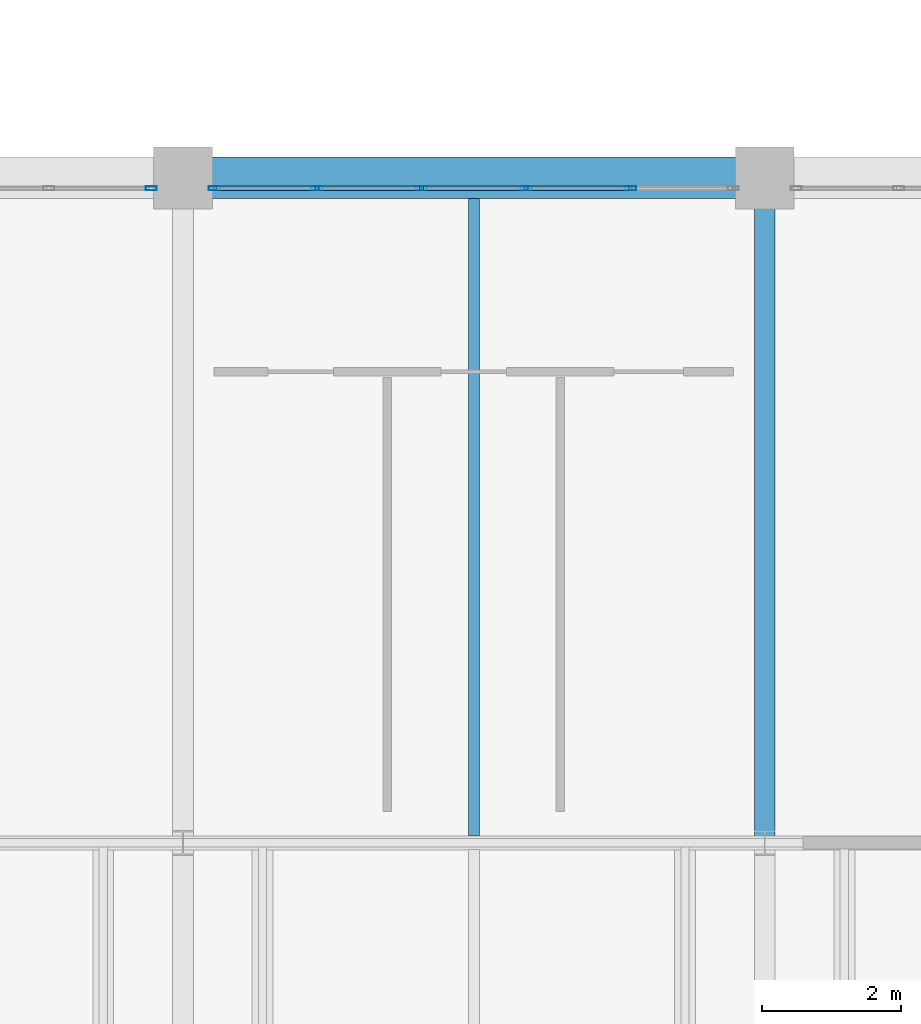
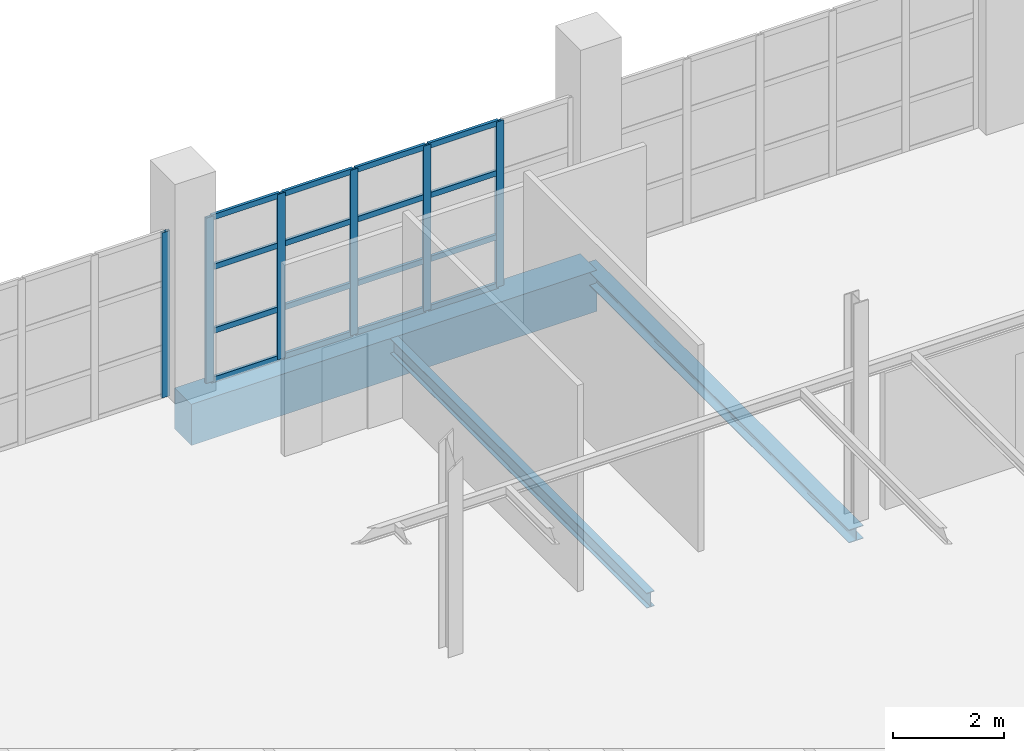
# One storey, part 7 of 29: 22 members, 3 beams, 2 elements without a shape of their own.
"""IFC4 building model written with IfcOpenShell, lengths in metres."""

import ifcopenshell
import ifcopenshell.guid

model = None  # the IFC model being written
_history = None  # IfcOwnerHistory: only IFC2X3 demands one
_inside = {}  # id of a spatial element -> (the spatial element, [elements in it])
_under = {}  # id of a project, library or spatial element -> (it, [spatial elements below it])
_declared = {}  # id of a project -> (the project, [libraries it declares])
_typed = {}  # id of a type object -> (the type object, [elements of that type])
_made_of = {}  # id of a material, layer set ... -> (it, [elements and type objects made of it])


def new_model(schema):
    """Start an empty IFC model of exactly this schema.

    Asked for "IFC4X3", IfcOpenShell would pick the latest addendum, in which some entities
    have other attributes; the version numbers below select the first issue.
    IFC2X3 requires an IfcOwnerHistory on every rooted entity: one is made here for all.
    """
    global model, _history
    if schema == "IFC4X3":
        model = ifcopenshell.file(schema_version=(4, 3, 0, 0))
    else:
        model = ifcopenshell.file(schema=schema)
    _inside.clear()
    _under.clear()
    _declared.clear()
    _typed.clear()
    _made_of.clear()
    _history = None
    if model.schema == "IFC2X3":
        org = make("IfcOrganization", Name="unknown")
        user = make(
            "IfcPersonAndOrganization",
            ThePerson=make("IfcPerson", FamilyName="unknown"),
            TheOrganization=org,
        )
        app = make(
            "IfcApplication",
            ApplicationDeveloper=org,
            Version="unknown",
            ApplicationFullName="unknown",
            ApplicationIdentifier="unknown",
        )
        _history = make(
            "IfcOwnerHistory",
            OwningUser=user,
            OwningApplication=app,
            ChangeAction="ADDED",
            CreationDate=0,
        )
    return model


def make(cls, **values):
    """One entity of the class cls with the attributes given. An attribute that is None is left unset."""
    return model.create_entity(
        cls, **{name: value for name, value in values.items() if value is not None}
    )


def rooted(cls, **values):
    """An entity with a GlobalId (a new one), such as an element, a storey or a relation."""
    return make(cls, GlobalId=ifcopenshell.guid.new(), OwnerHistory=_history, **values)


def si_unit(unit_type, name, prefix=None):
    """IfcSIUnit, for example si_unit("LENGTHUNIT", "METRE", prefix="MILLI")."""
    return make("IfcSIUnit", UnitType=unit_type, Prefix=prefix, Name=name)


def assignment(units):
    """IfcUnitAssignment: the units of a project."""
    return None if units is None else make("IfcUnitAssignment", Units=units)


def point(xyz):
    """IfcCartesianPoint."""
    return None if xyz is None else make("IfcCartesianPoint", Coordinates=xyz)


def direction(xyz):
    """IfcDirection."""
    return None if xyz is None else make("IfcDirection", DirectionRatios=xyz)


def frame(location, z_axis=None, x_axis=None):
    """IfcAxis2Placement3D, a coordinate frame: its origin and axes. An axis left out is left unset."""
    return make(
        "IfcAxis2Placement3D",
        Location=point(location),
        Axis=direction(z_axis),
        RefDirection=direction(x_axis),
    )


def frame_2d(location, x_axis=None):
    """IfcAxis2Placement2D, a coordinate frame in the plane: its origin and x axis."""
    return make(
        "IfcAxis2Placement2D", Location=point(location), RefDirection=direction(x_axis)
    )


def origin():
    """The frame at (0, 0, 0) with its axes left unset."""
    return frame((0.0, 0.0, 0.0))


def origin_2d():
    """The frame at (0, 0) in the plane with its x axis left unset."""
    return frame_2d((0.0, 0.0))


def place(relative_to, where):
    """IfcLocalPlacement: puts the frame where relative to a parent placement (None: the world)."""
    return make(
        "IfcLocalPlacement", PlacementRelTo=relative_to, RelativePlacement=where
    )


def context(
    kind, dimensions, precision=None, world=None, true_north=None, identifier=None
):
    """IfcGeometricRepresentationContext, for example the 3D "Model" context."""
    return make(
        "IfcGeometricRepresentationContext",
        ContextIdentifier=identifier,
        ContextType=kind,
        CoordinateSpaceDimension=dimensions,
        Precision=precision,
        WorldCoordinateSystem=world,
        TrueNorth=true_north,
    )


def subcontext(parent, identifier, kind, view, scale=None):
    """IfcGeometricRepresentationSubContext, for example "Body" below "Model"."""
    return make(
        "IfcGeometricRepresentationSubContext",
        ContextIdentifier=identifier,
        ContextType=kind,
        ParentContext=parent,
        TargetScale=scale,
        TargetView=view,
    )


def project(units=None, contexts=None):
    """IfcProject with its units and contexts."""
    return rooted(
        "IfcProject",
        Name="project",
        RepresentationContexts=contexts,
        UnitsInContext=assignment(units),
    )


def spatial(cls, under=None, at=None, **own):
    """A site, building, storey or space (cls), placed at a placement, below another one or the project."""
    s = rooted(cls, ObjectPlacement=at, **own)
    if under is not None:
        _under.setdefault(under.id(), (under, []))[1].append(s)
    return s


def profile(cls, at=None, kind="AREA", **sizes):
    """A parametric profile (cls). Its sizes go by their IFC names, for example OverallWidth=200.0."""
    return make(cls, ProfileType=kind, Position=at, **sizes)


def rectangle(**sizes):
    """IfcRectangleProfileDef."""
    return profile("IfcRectangleProfileDef", **sizes)


def hollow_rectangle(**sizes):
    """IfcRectangleHollowProfileDef."""
    return profile("IfcRectangleHollowProfileDef", **sizes)


def i_section(**sizes):
    """IfcIShapeProfileDef."""
    return profile("IfcIShapeProfileDef", **sizes)


def extrude(swept, where, along, depth):
    """IfcExtrudedAreaSolid: the profile swept, set in the frame where, extruded along a direction by depth."""
    return make(
        "IfcExtrudedAreaSolid",
        SweptArea=swept,
        Position=where,
        ExtrudedDirection=direction(along),
        Depth=depth,
    )


def shape(context_of_items, identifier, shape_type, items):
    """IfcShapeRepresentation: the items that make up one representation, for example the "Body"."""
    return make(
        "IfcShapeRepresentation",
        ContextOfItems=context_of_items,
        RepresentationIdentifier=identifier,
        RepresentationType=shape_type,
        Items=items,
    )


def material(Name=None, Category=None):
    """IfcMaterial."""
    return make("IfcMaterial", Name=Name, Category=Category)


def material_profile(
    of_material, cross_section, Name=None, Category=None, Priority=None
):
    """IfcMaterialProfile: a cross section and its material."""
    return make(
        "IfcMaterialProfile",
        Name=Name,
        Material=of_material,
        Profile=cross_section,
        Priority=Priority,
        Category=Category,
    )


def profile_set(profiles, Name=None, composite=None):
    """IfcMaterialProfileSet."""
    return make(
        "IfcMaterialProfileSet",
        Name=Name,
        MaterialProfiles=profiles,
        CompositeProfile=composite,
    )


def made_of(thing, what):
    """Note that an element or type object is made of a material, layer set ...; save() writes the relation."""
    if what is not None:
        _made_of.setdefault(what.id(), (what, []))[1].append(thing)
    return thing


def type_object(cls, material=None, **own):
    """A type object (cls), such as IfcWallType, which elements share."""
    return made_of(rooted(cls, **own), material)


def element(
    cls,
    number,
    at=None,
    inside=None,
    cuts=None,
    type_object=None,
    material=None,
    context=None,
    identifier="Body",
    shape_type=None,
    held_by="IfcProductDefinitionShape",
    body=None,
    shapes=None,
    **own,
):
    """One element of the class cls, such as IfcWall. Its Tag is "e" and its number.

    at: its placement. inside: the storey or other place that contains it. cuts: it is an
    opening in that element (IfcRelVoidsElement). A single representation is given by context,
    identifier, shape_type and body (its items); several are given by shapes. held_by: the class
    of the entity that holds the representations. save() writes the other relations.
    """
    e = rooted(cls, Tag="e%d" % number, ObjectPlacement=at, **own)
    if body is not None:
        shapes = [shape(context, identifier, shape_type, body)]
    if shapes is not None:
        e.Representation = make(held_by, Representations=shapes)
    if inside is not None:
        _inside.setdefault(inside.id(), (inside, []))[1].append(e)
    if cuts is not None:
        rooted(
            "IfcRelVoidsElement", RelatingBuildingElement=cuts, RelatedOpeningElement=e
        )
    if type_object is not None:
        _typed.setdefault(type_object.id(), (type_object, []))[1].append(e)
    return made_of(e, material)


def aggregate(whole, parts):
    """IfcRelAggregates: a whole, such as a stair, and the parts it consists of."""
    return rooted("IfcRelAggregates", RelatingObject=whole, RelatedObjects=parts)


def save(model, path):
    """Write the relations noted so far, then the file.

    IfcRelAggregates (storeys below a building ...), IfcRelContainedInSpatialStructure (elements
    in a storey), IfcRelDefinesByType, IfcRelAssociatesMaterial and IfcRelDeclares: one each for
    every whole, place, type object, material and project.
    """
    for whole, parts in _under.values():
        aggregate(whole, parts)
    for where, things in _inside.values():
        rooted(
            "IfcRelContainedInSpatialStructure",
            RelatedElements=things,
            RelatingStructure=where,
        )
    for kind, things in _typed.values():
        rooted("IfcRelDefinesByType", RelatedObjects=things, RelatingType=kind)
    for what, things in _made_of.values():
        rooted("IfcRelAssociatesMaterial", RelatedObjects=things, RelatingMaterial=what)
    for by, libraries in _declared.values():
        rooted("IfcRelDeclares", RelatingContext=by, RelatedDefinitions=libraries)
    model.write(path)


model = new_model("IFC4")

# Units and contexts
model_context = context("Model", 3, precision=1e-05, world=origin(), true_north=direction((0.0, 1.0)))
body_context = subcontext(model_context, "Body", "Model", "MODEL_VIEW")
ifc_project = project(units=[si_unit("LENGTHUNIT", "METRE"), si_unit("AREAUNIT", "SQUARE_METRE"), si_unit("VOLUMEUNIT", "CUBIC_METRE"), si_unit("PLANEANGLEUNIT", "RADIAN"), si_unit("MASSUNIT", "GRAM", prefix="KILO")], contexts=[model_context])

# Site, building, storey
site_placement = place(None, origin())
site = spatial("IfcSite", under=ifc_project, at=site_placement, CompositionType="ELEMENT")
building_placement = place(site_placement, origin())
building = spatial("IfcBuilding", under=site, at=building_placement, Name="Veltarok Museum of Natural Sciences", CompositionType="ELEMENT")
storey_placement = place(building_placement, frame((0.0, 0.0, 26.39990234375)))
storey = spatial("IfcBuildingStorey", under=building, at=storey_placement, Name="L05", CompositionType="ELEMENT", Elevation=26.39990234375)

# Curtain wall, members
ifc_material_1 = material(Name="Low-iron triple insulated glass", Category="glass")
curtain_wall_type = type_object("IfcCurtainWallType", Name="Curtain Wall System CW-V1N-L05-755x362 (V1 North Overlook L05 755x362cm)", PredefinedType="NOTDEFINED", material=ifc_material_1)
curtain_wall_1_placement = place(storey_placement, origin())
curtain_wall_1 = element("IfcCurtainWall", 1, at=curtain_wall_1_placement, inside=storey, type_object=curtain_wall_type, Name="Curtain Wall CW-V1N-L05-755x362 CW-0013", PredefinedType="NOTDEFINED")
ifc_material_2 = material(Name="Thermally broken anodised aluminium", Category="aluminium")
ifc_material_profile_1 = material_profile(ifc_material_2, hollow_rectangle(XDim=0.06005859375, YDim=0.1201171875, WallThickness=0.0048828125, at=origin_2d()), Name="CW TRANSOM 60x120x5")
ifc_profile_set_1 = profile_set([ifc_material_profile_1], Name="Thermally broken anodised aluminium")
member_type_1 = type_object("IfcMemberType", Name="Curtain Wall Horizontal Transom 60x120x5", PredefinedType="USERDEFINED", material=ifc_profile_set_1)
member_1_placement = place(storey_placement, frame((54.8349609375, 19.050048828125, 0.030029296875), z_axis=(-1.0, 0.0, 0.0), x_axis=(0.0, -1.0, 0.0)))
member_1 = element("IfcMember", 2, at=member_1_placement, type_object=member_type_1, Name="CW-V1N-L05-755x362 transom 2.1", ObjectType="TRANSOM", PredefinedType="USERDEFINED", context=body_context, shape_type="SweptSolid", body=[
    extrude(hollow_rectangle(XDim=0.06005859375, YDim=0.1201171875, WallThickness=0.0048828125, at=origin_2d()), origin(), (0.0, 0.0, 1.0), 1.449951171875),
])
member_2_placement = place(storey_placement, frame((54.8349609375, 19.050048828125, 1.10009765625), z_axis=(-1.0, 0.0, 0.0), x_axis=(0.0, -1.0, 0.0)))
member_2 = element("IfcMember", 3, at=member_2_placement, type_object=member_type_1, Name="CW-V1N-L05-755x362 transom 2.2", ObjectType="TRANSOM", PredefinedType="USERDEFINED", context=body_context, shape_type="SweptSolid", body=[
    extrude(hollow_rectangle(XDim=0.06005859375, YDim=0.1201171875, WallThickness=0.0048828125, at=origin_2d()), origin(), (0.0, 0.0, 1.0), 1.449951171875),
])
member_3_placement = place(storey_placement, frame((54.8349609375, 19.050048828125, 2.5), z_axis=(-1.0, 0.0, 0.0), x_axis=(0.0, -1.0, 0.0)))
member_3 = element("IfcMember", 4, at=member_3_placement, type_object=member_type_1, Name="CW-V1N-L05-755x362 transom 2.3", ObjectType="TRANSOM", PredefinedType="USERDEFINED", context=body_context, shape_type="SweptSolid", body=[
    extrude(hollow_rectangle(XDim=0.06005859375, YDim=0.1201171875, WallThickness=0.0048828125, at=origin_2d()), origin(), (0.0, 0.0, 1.0), 1.449951171875),
])
member_4_placement = place(storey_placement, frame((54.8349609375, 19.050048828125, 3.590087890625), z_axis=(-1.0, 0.0, 0.0), x_axis=(0.0, -1.0, 0.0)))
member_4 = element("IfcMember", 5, at=member_4_placement, type_object=member_type_1, Name="CW-V1N-L05-755x362 transom 2.4", ObjectType="TRANSOM", PredefinedType="USERDEFINED", context=body_context, shape_type="SweptSolid", body=[
    extrude(hollow_rectangle(XDim=0.06005859375, YDim=0.1201171875, WallThickness=0.0048828125, at=origin_2d()), origin(), (0.0, 0.0, 1.0), 1.449951171875),
])
member_5_placement = place(storey_placement, frame((53.324951171875, 19.050048828125, 0.030029296875), z_axis=(-1.0, 0.0, 0.0), x_axis=(0.0, -1.0, 0.0)))
member_5 = element("IfcMember", 6, at=member_5_placement, type_object=member_type_1, Name="CW-V1N-L05-755x362 transom 3.1", ObjectType="TRANSOM", PredefinedType="USERDEFINED", context=body_context, shape_type="SweptSolid", body=[
    extrude(hollow_rectangle(XDim=0.06005859375, YDim=0.1201171875, WallThickness=0.0048828125, at=origin_2d()), origin(), (0.0, 0.0, 1.0), 1.449951171875),
])
member_6_placement = place(storey_placement, frame((53.324951171875, 19.050048828125, 1.10009765625), z_axis=(-1.0, 0.0, 0.0), x_axis=(0.0, -1.0, 0.0)))
member_6 = element("IfcMember", 7, at=member_6_placement, type_object=member_type_1, Name="CW-V1N-L05-755x362 transom 3.2", ObjectType="TRANSOM", PredefinedType="USERDEFINED", context=body_context, shape_type="SweptSolid", body=[
    extrude(hollow_rectangle(XDim=0.06005859375, YDim=0.1201171875, WallThickness=0.0048828125, at=origin_2d()), origin(), (0.0, 0.0, 1.0), 1.449951171875),
])
member_7_placement = place(storey_placement, frame((53.324951171875, 19.050048828125, 2.5), z_axis=(-1.0, 0.0, 0.0), x_axis=(0.0, -1.0, 0.0)))
member_7 = element("IfcMember", 8, at=member_7_placement, type_object=member_type_1, Name="CW-V1N-L05-755x362 transom 3.3", ObjectType="TRANSOM", PredefinedType="USERDEFINED", context=body_context, shape_type="SweptSolid", body=[
    extrude(hollow_rectangle(XDim=0.06005859375, YDim=0.1201171875, WallThickness=0.0048828125, at=origin_2d()), origin(), (0.0, 0.0, 1.0), 1.449951171875),
])
member_8_placement = place(storey_placement, frame((53.324951171875, 19.050048828125, 3.590087890625), z_axis=(-1.0, 0.0, 0.0), x_axis=(0.0, -1.0, 0.0)))
member_8 = element("IfcMember", 9, at=member_8_placement, type_object=member_type_1, Name="CW-V1N-L05-755x362 transom 3.4", ObjectType="TRANSOM", PredefinedType="USERDEFINED", context=body_context, shape_type="SweptSolid", body=[
    extrude(hollow_rectangle(XDim=0.06005859375, YDim=0.1201171875, WallThickness=0.0048828125, at=origin_2d()), origin(), (0.0, 0.0, 1.0), 1.449951171875),
])
member_9_placement = place(storey_placement, frame((51.81494140625, 19.050048828125, 0.030029296875), z_axis=(-1.0, 0.0, 0.0), x_axis=(0.0, -1.0, 0.0)))
member_9 = element("IfcMember", 10, at=member_9_placement, type_object=member_type_1, Name="CW-V1N-L05-755x362 transom 4.1", ObjectType="TRANSOM", PredefinedType="USERDEFINED", context=body_context, shape_type="SweptSolid", body=[
    extrude(hollow_rectangle(XDim=0.06005859375, YDim=0.1201171875, WallThickness=0.0048828125, at=origin_2d()), origin(), (0.0, 0.0, 1.0), 1.449951171875),
])
member_10_placement = place(storey_placement, frame((51.81494140625, 19.050048828125, 1.10009765625), z_axis=(-1.0, 0.0, 0.0), x_axis=(0.0, -1.0, 0.0)))
member_10 = element("IfcMember", 11, at=member_10_placement, type_object=member_type_1, Name="CW-V1N-L05-755x362 transom 4.2", ObjectType="TRANSOM", PredefinedType="USERDEFINED", context=body_context, shape_type="SweptSolid", body=[
    extrude(hollow_rectangle(XDim=0.06005859375, YDim=0.1201171875, WallThickness=0.0048828125, at=origin_2d()), origin(), (0.0, 0.0, 1.0), 1.449951171875),
])
member_11_placement = place(storey_placement, frame((51.81494140625, 19.050048828125, 2.5), z_axis=(-1.0, 0.0, 0.0), x_axis=(0.0, -1.0, 0.0)))
member_11 = element("IfcMember", 12, at=member_11_placement, type_object=member_type_1, Name="CW-V1N-L05-755x362 transom 4.3", ObjectType="TRANSOM", PredefinedType="USERDEFINED", context=body_context, shape_type="SweptSolid", body=[
    extrude(hollow_rectangle(XDim=0.06005859375, YDim=0.1201171875, WallThickness=0.0048828125, at=origin_2d()), origin(), (0.0, 0.0, 1.0), 1.449951171875),
])
member_12_placement = place(storey_placement, frame((51.81494140625, 19.050048828125, 3.590087890625), z_axis=(-1.0, 0.0, 0.0), x_axis=(0.0, -1.0, 0.0)))
member_12 = element("IfcMember", 13, at=member_12_placement, type_object=member_type_1, Name="CW-V1N-L05-755x362 transom 4.4", ObjectType="TRANSOM", PredefinedType="USERDEFINED", context=body_context, shape_type="SweptSolid", body=[
    extrude(hollow_rectangle(XDim=0.06005859375, YDim=0.1201171875, WallThickness=0.0048828125, at=origin_2d()), origin(), (0.0, 0.0, 1.0), 1.449951171875),
])
member_13_placement = place(storey_placement, frame((50.304931640625, 19.050048828125, 0.030029296875), z_axis=(-1.0, 0.0, 0.0), x_axis=(0.0, -1.0, 0.0)))
member_13 = element("IfcMember", 14, at=member_13_placement, type_object=member_type_1, Name="CW-V1N-L05-755x362 transom 5.1", ObjectType="TRANSOM", PredefinedType="USERDEFINED", context=body_context, shape_type="SweptSolid", body=[
    extrude(hollow_rectangle(XDim=0.06005859375, YDim=0.1201171875, WallThickness=0.0048828125, at=origin_2d()), origin(), (0.0, 0.0, 1.0), 1.419921875),
])
member_14_placement = place(storey_placement, frame((50.304931640625, 19.050048828125, 1.10009765625), z_axis=(-1.0, 0.0, 0.0), x_axis=(0.0, -1.0, 0.0)))
member_14 = element("IfcMember", 15, at=member_14_placement, type_object=member_type_1, Name="CW-V1N-L05-755x362 transom 5.2", ObjectType="TRANSOM", PredefinedType="USERDEFINED", context=body_context, shape_type="SweptSolid", body=[
    extrude(hollow_rectangle(XDim=0.06005859375, YDim=0.1201171875, WallThickness=0.0048828125, at=origin_2d()), origin(), (0.0, 0.0, 1.0), 1.419921875),
])
member_15_placement = place(storey_placement, frame((50.304931640625, 19.050048828125, 2.5), z_axis=(-1.0, 0.0, 0.0), x_axis=(0.0, -1.0, 0.0)))
member_15 = element("IfcMember", 16, at=member_15_placement, type_object=member_type_1, Name="CW-V1N-L05-755x362 transom 5.3", ObjectType="TRANSOM", PredefinedType="USERDEFINED", context=body_context, shape_type="SweptSolid", body=[
    extrude(hollow_rectangle(XDim=0.06005859375, YDim=0.1201171875, WallThickness=0.0048828125, at=origin_2d()), origin(), (0.0, 0.0, 1.0), 1.419921875),
])
member_16_placement = place(storey_placement, frame((50.304931640625, 19.050048828125, 3.590087890625), z_axis=(-1.0, 0.0, 0.0), x_axis=(0.0, -1.0, 0.0)))
member_16 = element("IfcMember", 17, at=member_16_placement, type_object=member_type_1, Name="CW-V1N-L05-755x362 transom 5.4", ObjectType="TRANSOM", PredefinedType="USERDEFINED", context=body_context, shape_type="SweptSolid", body=[
    extrude(hollow_rectangle(XDim=0.06005859375, YDim=0.1201171875, WallThickness=0.0048828125, at=origin_2d()), origin(), (0.0, 0.0, 1.0), 1.419921875),
])

# Curtain wall, member
curtain_wall_2_placement = place(storey_placement, origin())
curtain_wall_2 = element("IfcCurtainWall", 18, at=curtain_wall_2_placement, inside=storey, type_object=curtain_wall_type, Name="Curtain Wall CW-V1N-L05-755x362 CW-0012", PredefinedType="NOTDEFINED")
ifc_material_profile_2 = material_profile(ifc_material_2, hollow_rectangle(XDim=0.06005859375, YDim=0.159912109375, WallThickness=0.0048828125, at=origin_2d()), Name="CW MULLION 60x160x5")
ifc_profile_set_2 = profile_set([ifc_material_profile_2], Name="Thermally broken anodised aluminium")
member_type_2 = type_object("IfcMemberType", Name="Curtain Wall Vertical Mullion 60x160x5", PredefinedType="MULLION", material=ifc_profile_set_2)
member_17_placement = place(storey_placement, frame((47.945068359375, 19.050048828125, 0.0), z_axis=(0.0, 0.0, 1.0), x_axis=(0.0, -1.0, 0.0)))
member_17 = element("IfcMember", 19, at=member_17_placement, type_object=member_type_2, Name="CW-V1N-L05-755x362 mullion 1", PredefinedType="MULLION", context=body_context, shape_type="SweptSolid", body=[
    extrude(hollow_rectangle(XDim=0.06005859375, YDim=0.159912109375, WallThickness=0.0048828125, at=origin_2d()), origin(), (0.0, 0.0, 1.0), 3.6201171875),
])
aggregate(curtain_wall_2, [member_17])

# Member
member_18_placement = place(storey_placement, frame((54.864990234375, 19.050048828125, 0.0), z_axis=(0.0, 0.0, 1.0), x_axis=(0.0, -1.0, 0.0)))
member_18 = element("IfcMember", 20, at=member_18_placement, type_object=member_type_2, Name="CW-V1N-L05-755x362 mullion 2", PredefinedType="MULLION", context=body_context, shape_type="SweptSolid", body=[
    extrude(hollow_rectangle(XDim=0.06005859375, YDim=0.159912109375, WallThickness=0.0048828125, at=origin_2d()), origin(), (0.0, 0.0, 1.0), 3.6201171875),
])

member_19_placement = place(storey_placement, frame((53.35498046875, 19.050048828125, 0.0), z_axis=(0.0, 0.0, 1.0), x_axis=(0.0, -1.0, 0.0)))
member_19 = element("IfcMember", 21, at=member_19_placement, type_object=member_type_2, Name="CW-V1N-L05-755x362 mullion 3", PredefinedType="MULLION", context=body_context, shape_type="SweptSolid", body=[
    extrude(hollow_rectangle(XDim=0.06005859375, YDim=0.159912109375, WallThickness=0.0048828125, at=origin_2d()), origin(), (0.0, 0.0, 1.0), 3.6201171875),
])

member_20_placement = place(storey_placement, frame((51.844970703125, 19.050048828125, 0.0), z_axis=(0.0, 0.0, 1.0), x_axis=(0.0, -1.0, 0.0)))
member_20 = element("IfcMember", 22, at=member_20_placement, type_object=member_type_2, Name="CW-V1N-L05-755x362 mullion 4", PredefinedType="MULLION", context=body_context, shape_type="SweptSolid", body=[
    extrude(hollow_rectangle(XDim=0.06005859375, YDim=0.159912109375, WallThickness=0.0048828125, at=origin_2d()), origin(), (0.0, 0.0, 1.0), 3.6201171875),
])

member_21_placement = place(storey_placement, frame((50.3349609375, 19.050048828125, 0.0), z_axis=(0.0, 0.0, 1.0), x_axis=(0.0, -1.0, 0.0)))
member_21 = element("IfcMember", 23, at=member_21_placement, type_object=member_type_2, Name="CW-V1N-L05-755x362 mullion 5", PredefinedType="MULLION", context=body_context, shape_type="SweptSolid", body=[
    extrude(hollow_rectangle(XDim=0.06005859375, YDim=0.159912109375, WallThickness=0.0048828125, at=origin_2d()), origin(), (0.0, 0.0, 1.0), 3.6201171875),
])

member_22_placement = place(storey_placement, frame((48.85498046875, 19.050048828125, 0.0), z_axis=(0.0, 0.0, 1.0), x_axis=(0.0, -1.0, 0.0)))
member_22 = element("IfcMember", 24, at=member_22_placement, type_object=member_type_2, Name="CW-V1N-L05-755x362 mullion 6", PredefinedType="MULLION", context=body_context, shape_type="SweptSolid", body=[
    extrude(hollow_rectangle(XDim=0.06005859375, YDim=0.159912109375, WallThickness=0.0048828125, at=origin_2d()), origin(), (0.0, 0.0, 1.0), 3.6201171875),
])

aggregate(curtain_wall_1, [member_18, member_19, member_20, member_21, member_22, member_1, member_2, member_3, member_4, member_5, member_6, member_7, member_8, member_9, member_10, member_11, member_12, member_13, member_14, member_15, member_16])

# Beams
ifc_material_3 = material(Name="Concrete C40/50", Category="concrete")
ifc_material_profile_3 = material_profile(ifc_material_3, rectangle(XDim=0.60009765625, YDim=0.89990234375, at=origin_2d()), Name="RC 600x900")
ifc_profile_set_3 = profile_set([ifc_material_profile_3], Name="Concrete C40/50")
beam_type_1 = type_object("IfcBeamType", Name="Exposed Cabinet Perimeter Spandrel RC 600x900", PredefinedType="SPANDREL", material=ifc_profile_set_3)
beam_1_placement = place(storey_placement, frame((48.39990234375, 19.199951171875, -0.699951171875), z_axis=(1.0, 0.0, 0.0), x_axis=(0.0, 1.0, 0.0)))
element("IfcBeam", 25, at=beam_1_placement, inside=storey, type_object=beam_type_1, Name="Beam BM-SP01 L05 6-7/C", PredefinedType="SPANDREL", context=body_context, shape_type="SweptSolid", body=[
    extrude(rectangle(XDim=0.60009765625, YDim=0.89990234375, at=origin_2d()), origin(), (0.0, 0.0, 1.0), 8.400146484375),
])
ifc_material_4 = material(Name="Steel S355J2", Category="steel")
ifc_material_profile_4 = material_profile(ifc_material_4, i_section(OverallWidth=0.300048828125, OverallDepth=0.2900390625, WebThickness=0.008544921875, FlangeThickness=0.013916015625, FilletRadius=0.027099609375, at=origin_2d()), Name="HEA 300")
ifc_profile_set_4 = profile_set([ifc_material_profile_4], Name="Steel S355J2")
beam_type_2 = type_object("IfcBeamType", Name="Glazed Hall Edge Spandrel HEA 300", PredefinedType="SPANDREL", material=ifc_profile_set_4)
beam_2_placement = place(storey_placement, frame((56.800048828125, 9.60009765625, -0.39501953125), z_axis=(0.0, 1.0, 0.0), x_axis=(-1.0, 0.0, 0.0)))
element("IfcBeam", 26, at=beam_2_placement, inside=storey, type_object=beam_type_2, Name="Beam BM-SP03 L05 7/B-C", PredefinedType="SPANDREL", context=body_context, shape_type="SweptSolid", body=[
    extrude(i_section(OverallWidth=0.300048828125, OverallDepth=0.2900390625, WebThickness=0.008544921875, FlangeThickness=0.013916015625, FilletRadius=0.027099609375, at=origin_2d()), origin(), (0.0, 0.0, 1.0), 9.599853515625),
])
ifc_material_profile_5 = material_profile(ifc_material_4, i_section(OverallWidth=0.159912109375, OverallDepth=0.330078125, WebThickness=0.007568359375, FlangeThickness=0.011474609375, FilletRadius=0.01806640625, at=origin_2d()), Name="IPE 330")
ifc_profile_set_5 = profile_set([ifc_material_profile_5], Name="Steel S355J2")
beam_type_3 = type_object("IfcBeamType", Name="Medium-Bay Composite Joist IPE 330", PredefinedType="JOIST", material=ifc_profile_set_5)
beam_3_placement = place(storey_placement, frame((52.60009765625, 9.697998046875, -0.414794921875), z_axis=(0.0, 1.0, 0.0), x_axis=(-1.0, 0.0, 0.0)))
element("IfcBeam", 27, at=beam_3_placement, inside=storey, type_object=beam_type_3, Name="Secondary Joist BM-J02 L05 6-7/B-C.1", PredefinedType="JOIST", context=body_context, shape_type="SweptSolid", body=[
    extrude(i_section(OverallWidth=0.159912109375, OverallDepth=0.330078125, WebThickness=0.007568359375, FlangeThickness=0.011474609375, FilletRadius=0.01806640625, at=origin_2d()), origin(), (0.0, 0.0, 1.0), 9.2041015625),
])

save(model, "model.ifc")
